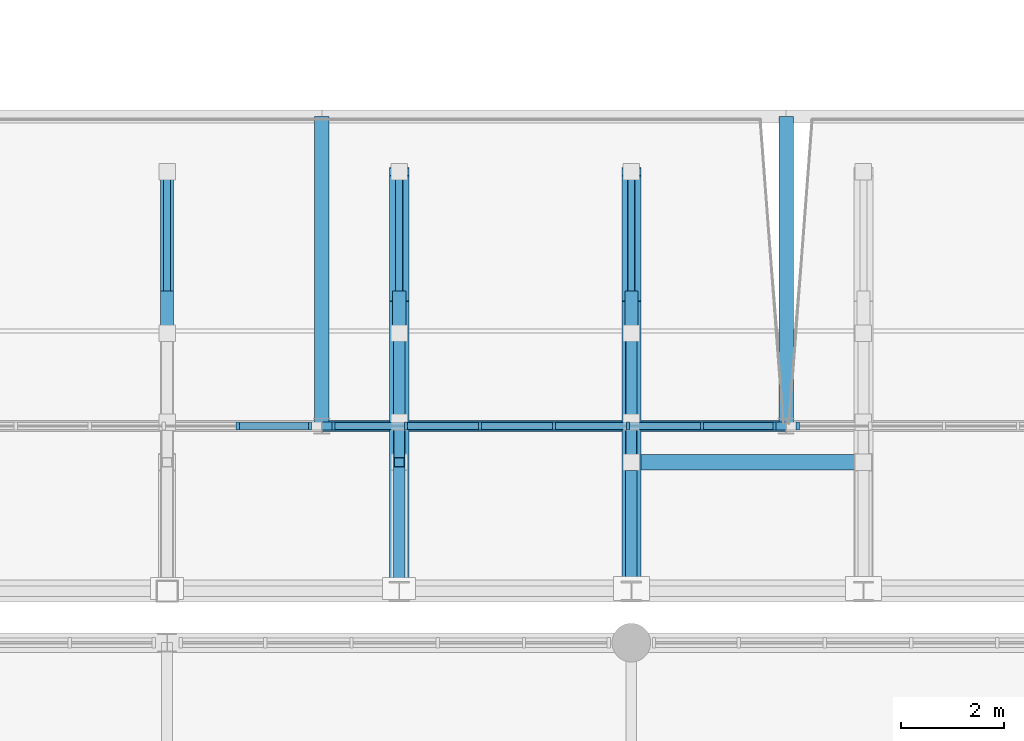
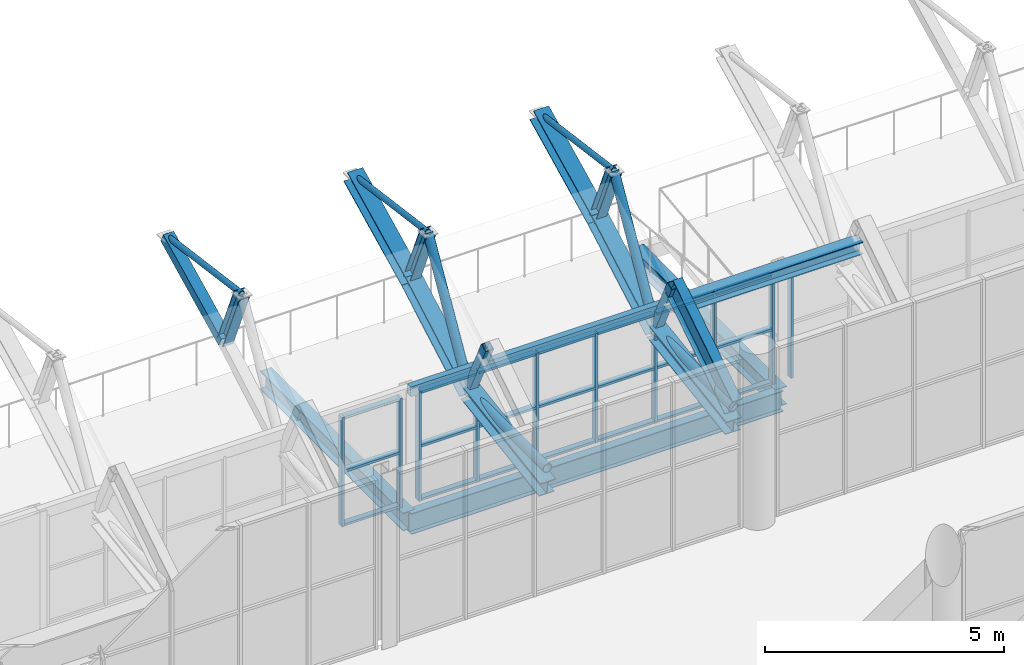
# One storey, part 62 of 134: 51 members, 5 beams, 3 elements without a shape of their own.
"""IFC4 building model written with IfcOpenShell, lengths in metres."""

from ifc_helpers import new_model, si_unit, direction, frame, origin, origin_2d, place, context, subcontext, project, spatial, rectangle, hollow_rectangle, hollow_circle, i_section, extrude, material, layer, layer_set, material_profile, profile_set, type_object, element, aggregate, save


model = new_model("IFC4")

# Units and contexts
model_context = context("Model", 3, precision=1e-05, world=origin(), true_north=direction((0.0, 1.0)))
body_context = subcontext(model_context, "Body", "Model", "MODEL_VIEW")
ifc_project = project(units=[si_unit("LENGTHUNIT", "METRE"), si_unit("AREAUNIT", "SQUARE_METRE"), si_unit("VOLUMEUNIT", "CUBIC_METRE"), si_unit("PLANEANGLEUNIT", "RADIAN"), si_unit("MASSUNIT", "GRAM", prefix="KILO")], contexts=[model_context])

# Site, building, storey
site_placement = place(None, origin())
site = spatial("IfcSite", under=ifc_project, at=site_placement, CompositionType="ELEMENT")
building_placement = place(site_placement, origin())
building = spatial("IfcBuilding", under=site, at=building_placement, Name="Cazmaro Siding Exhibition Halls", CompositionType="ELEMENT")
storey_placement = place(building_placement, frame((0.0, 0.0, 12.0)))
storey = spatial("IfcBuildingStorey", under=building, at=storey_placement, Name="L02", CompositionType="ELEMENT", Elevation=12.0)

# Beams
ifc_material_1 = material(Name="Steel ASTM A992 Grade 50", Category="steel")
ifc_material_profile_1 = material_profile(ifc_material_1, i_section(OverallWidth=0.22900390625, OverallDepth=0.612060546875, WebThickness=0.011962890625, FlangeThickness=0.02001953125, at=origin_2d()), Name="W24X84")
ifc_profile_set_1 = profile_set([ifc_material_profile_1], Name="Steel ASTM A992 Grade 50")
beam_type_1 = type_object("IfcBeamType", Name="AR-03", PredefinedType="USERDEFINED", material=ifc_profile_set_1)
beam_1_placement = place(storey_placement, frame((108.0, 64.0, 2.300048828125), z_axis=(0.0, 0.843339173298, 0.537381650954), x_axis=(-1.0, 0.0, 0.0)))
element("IfcBeam", 1, at=beam_1_placement, inside=storey, type_object=beam_type_1, Name="Space frame barrel vault arched rib AR-03 BM-0871", ObjectType="ARCHED RIB", PredefinedType="USERDEFINED", context=body_context, shape_type="SweptSolid", body=[
    extrude(i_section(OverallWidth=0.22900390625, OverallDepth=0.612060546875, WebThickness=0.011962890625, FlangeThickness=0.02001953125, at=origin_2d()), origin(), (0.0, 0.0, 1.0), 2.96435546875),
])
ifc_material_2 = material(Name="Steel ASTM A992 Grade 50", Category="steel")
ifc_material_profile_2 = material_profile(ifc_material_2, i_section(OverallWidth=0.2099609375, OverallDepth=0.535888671875, WebThickness=0.010986328125, FlangeThickness=0.01708984375, at=origin_2d()), Name="W21X68")
ifc_profile_set_2 = profile_set([ifc_material_profile_2], Name="Steel ASTM A992 Grade 50")
beam_type_2 = type_object("IfcBeamType", Name="B-02", PredefinedType="BEAM", material=ifc_profile_set_2)
beam_2_placement = place(storey_placement, frame((102.0, 67.199951171875, -0.488037109375), z_axis=(1.0, 0.0, 0.0), x_axis=(0.0, 1.0, 0.0)))
element("IfcBeam", 2, at=beam_2_placement, inside=storey, type_object=beam_type_2, Name="Beam B-02 BM-0461", PredefinedType="BEAM", context=body_context, shape_type="SweptSolid", body=[
    extrude(i_section(OverallWidth=0.2099609375, OverallDepth=0.535888671875, WebThickness=0.010986328125, FlangeThickness=0.01708984375, at=origin_2d()), origin(), (0.0, 0.0, 1.0), 9.0),
])
ifc_material_3 = material(Name="Steel ASTM A992 Grade 50", Category="steel")
ifc_material_profile_3 = material_profile(ifc_material_3, i_section(OverallWidth=0.279052734375, OverallDepth=0.4619140625, WebThickness=0.010986328125, FlangeThickness=0.01708984375, at=origin_2d()), Name="W18X76")
ifc_profile_set_3 = profile_set([ifc_material_profile_3], Name="Steel ASTM A992 Grade 50")
beam_type_3 = type_object("IfcBeamType", Name="B-03", PredefinedType="BEAM", material=ifc_profile_set_3)
for number, where, z_axis, x_axis, name in (
    (3, (102.0, 67.199951171875, -0.450927734375), (0.0, 1.0, 0.0), (-1.0, 0.0, 0.0), "Beam B-03 BM-0478"),
    (4, (111.0, 67.199951171875, -0.450927734375), (0.0, 1.0, 0.0), (-1.0, 0.0, 0.0), "Beam B-03 BM-0479"),
):
    element("IfcBeam", number, at=place(storey_placement, frame(where, z_axis=z_axis, x_axis=x_axis)), inside=storey, type_object=beam_type_3, Name=name, PredefinedType="BEAM", context=body_context, shape_type="SweptSolid", body=[
        extrude(i_section(OverallWidth=0.279052734375, OverallDepth=0.4619140625, WebThickness=0.010986328125, FlangeThickness=0.01708984375, at=origin_2d()), origin(), (0.0, 0.0, 1.0), 6.0),
    ])

# Member
ifc_material_4 = material(Name="Steel ASTM A992 Grade 50", Category="steel")
ifc_material_profile_4 = material_profile(ifc_material_4, i_section(OverallWidth=0.306884765625, OverallDepth=0.31396484375, WebThickness=0.011962890625, FlangeThickness=0.01904296875, at=origin_2d()), Name="W12X79")
ifc_profile_set_4 = profile_set([ifc_material_profile_4], Name="Steel ASTM A992 Grade 50")
member_type_1 = type_object("IfcMemberType", Name="CS-02", PredefinedType="STRUT", material=ifc_profile_set_4)
member_1_placement = place(storey_placement, frame((108.0, 66.5, 3.35302734375), z_axis=(1.0, 0.0, 0.0), x_axis=(0.0, 1.0, 0.0)))
element("IfcMember", 5, at=member_1_placement, inside=storey, type_object=member_type_1, Name="Space frame vault springing strut CS-02 MEM-2146", PredefinedType="STRUT", context=body_context, shape_type="SweptSolid", body=[
    extrude(i_section(OverallWidth=0.306884765625, OverallDepth=0.31396484375, WebThickness=0.011962890625, FlangeThickness=0.01904296875, at=origin_2d()), origin(), (0.0, 0.0, 1.0), 4.5),
])

# Curtain wall, members
ifc_material_5 = material(Name="Anodized Bronze Aluminum and Solar-Control Low-E Glazing", Category="aluminium")
ifc_layer = layer(ifc_material_5, 0.159912109375)
ifc_layer_set = layer_set([ifc_layer], Name="Anodized Bronze Aluminum and Solar-Control Low-E Glazing")
curtain_wall_type = type_object("IfcCurtainWallType", Name="CWS-04", PredefinedType="USERDEFINED", material=ifc_layer_set)
curtain_wall_1_placement = place(storey_placement, origin())
curtain_wall_1 = element("IfcCurtainWall", 6, at=curtain_wall_1_placement, inside=storey, type_object=curtain_wall_type, Name="Clerestory Curtain Wall CWS-04 CW-021", ObjectType="CLERESTORY CURTAIN WALL", PredefinedType="USERDEFINED")
ifc_material_6 = material(Name="Anodized Bronze Extruded Aluminum", Category="aluminium")
ifc_material_profile_5 = material_profile(ifc_material_6, rectangle(XDim=0.159912109375, YDim=0.06005859375, at=origin_2d()), Name="CWM-04")
ifc_profile_set_5 = profile_set([ifc_material_profile_5], Name="Anodized Bronze Extruded Aluminum")
member_type_2 = type_object("IfcMemberType", Name="CWM-04", PredefinedType="MULLION", material=ifc_profile_set_5)
member_2_placement = place(storey_placement, frame((100.36865234375, 67.199951171875, 0.0), z_axis=(0.0, 0.0, 1.0), x_axis=(0.0, 1.0, 0.0)))
member_2 = element("IfcMember", 7, at=member_2_placement, type_object=member_type_2, Name="CWS-04 mullion 6", PredefinedType="MULLION", context=body_context, shape_type="SweptSolid", body=[
    extrude(rectangle(XDim=0.159912109375, YDim=0.06005859375, at=origin_2d()), origin(), (0.0, 0.0, 1.0), 2.800048828125),
])
member_3_placement = place(storey_placement, frame((101.77294921875, 67.199951171875, 0.0), z_axis=(0.0, 0.0, 1.0), x_axis=(0.0, 1.0, 0.0)))
member_3 = element("IfcMember", 8, at=member_3_placement, type_object=member_type_2, Name="CWS-04 mullion 7", PredefinedType="MULLION", context=body_context, shape_type="SweptSolid", body=[
    extrude(rectangle(XDim=0.159912109375, YDim=0.06005859375, at=origin_2d()), origin(), (0.0, 0.0, 1.0), 2.800048828125),
])

curtain_wall_2_placement = place(storey_placement, origin())
curtain_wall_2 = element("IfcCurtainWall", 9, at=curtain_wall_2_placement, inside=storey, type_object=curtain_wall_type, Name="Clerestory Curtain Wall CWS-04 CW-024", ObjectType="CLERESTORY CURTAIN WALL", PredefinedType="USERDEFINED")
member_4_placement = place(storey_placement, frame((102.22705078125, 67.199951171875, 0.0), z_axis=(0.0, 0.0, 1.0), x_axis=(0.0, 1.0, 0.0)))
member_4 = element("IfcMember", 10, at=member_4_placement, type_object=member_type_2, Name="CWS-04 mullion 1", PredefinedType="MULLION", context=body_context, shape_type="SweptSolid", body=[
    extrude(rectangle(XDim=0.159912109375, YDim=0.06005859375, at=origin_2d()), origin(), (0.0, 0.0, 1.0), 2.800048828125),
])
member_5_placement = place(storey_placement, frame((103.63134765625, 67.199951171875, 0.0), z_axis=(0.0, 0.0, 1.0), x_axis=(0.0, 1.0, 0.0)))
member_5 = element("IfcMember", 11, at=member_5_placement, type_object=member_type_2, Name="CWS-04 mullion 2", PredefinedType="MULLION", context=body_context, shape_type="SweptSolid", body=[
    extrude(rectangle(XDim=0.159912109375, YDim=0.06005859375, at=origin_2d()), origin(), (0.0, 0.0, 1.0), 2.800048828125),
])
member_6_placement = place(storey_placement, frame((105.065673828125, 67.199951171875, 0.0), z_axis=(0.0, 0.0, 1.0), x_axis=(0.0, 1.0, 0.0)))
member_6 = element("IfcMember", 12, at=member_6_placement, type_object=member_type_2, Name="CWS-04 mullion 3", PredefinedType="MULLION", context=body_context, shape_type="SweptSolid", body=[
    extrude(rectangle(XDim=0.159912109375, YDim=0.06005859375, at=origin_2d()), origin(), (0.0, 0.0, 1.0), 2.800048828125),
])
member_7_placement = place(storey_placement, frame((106.5, 67.199951171875, 0.0), z_axis=(0.0, 0.0, 1.0), x_axis=(0.0, 1.0, 0.0)))
member_7 = element("IfcMember", 13, at=member_7_placement, type_object=member_type_2, Name="CWS-04 mullion 4", PredefinedType="MULLION", context=body_context, shape_type="SweptSolid", body=[
    extrude(rectangle(XDim=0.159912109375, YDim=0.06005859375, at=origin_2d()), origin(), (0.0, 0.0, 1.0), 2.800048828125),
])
member_8_placement = place(storey_placement, frame((107.934326171875, 67.199951171875, 0.0), z_axis=(0.0, 0.0, 1.0), x_axis=(0.0, 1.0, 0.0)))
member_8 = element("IfcMember", 14, at=member_8_placement, type_object=member_type_2, Name="CWS-04 mullion 5", PredefinedType="MULLION", context=body_context, shape_type="SweptSolid", body=[
    extrude(rectangle(XDim=0.159912109375, YDim=0.06005859375, at=origin_2d()), origin(), (0.0, 0.0, 1.0), 2.800048828125),
])
member_9_placement = place(storey_placement, frame((109.36865234375, 67.199951171875, 0.0), z_axis=(0.0, 0.0, 1.0), x_axis=(0.0, 1.0, 0.0)))
member_9 = element("IfcMember", 15, at=member_9_placement, type_object=member_type_2, Name="CWS-04 mullion 6", PredefinedType="MULLION", context=body_context, shape_type="SweptSolid", body=[
    extrude(rectangle(XDim=0.159912109375, YDim=0.06005859375, at=origin_2d()), origin(), (0.0, 0.0, 1.0), 2.800048828125),
])
member_10_placement = place(storey_placement, frame((110.77294921875, 67.199951171875, 0.0), z_axis=(0.0, 0.0, 1.0), x_axis=(0.0, 1.0, 0.0)))
member_10 = element("IfcMember", 16, at=member_10_placement, type_object=member_type_2, Name="CWS-04 mullion 7", PredefinedType="MULLION", context=body_context, shape_type="SweptSolid", body=[
    extrude(rectangle(XDim=0.159912109375, YDim=0.06005859375, at=origin_2d()), origin(), (0.0, 0.0, 1.0), 2.800048828125),
])

# Curtain wall, member
curtain_wall_3_placement = place(storey_placement, origin())
curtain_wall_3 = element("IfcCurtainWall", 17, at=curtain_wall_3_placement, inside=storey, type_object=curtain_wall_type, Name="Clerestory Curtain Wall CWS-04 CW-029", ObjectType="CLERESTORY CURTAIN WALL", PredefinedType="USERDEFINED")
member_11_placement = place(storey_placement, frame((111.22705078125, 67.199951171875, 0.0), z_axis=(0.0, 0.0, 1.0), x_axis=(0.0, 1.0, 0.0)))
member_11 = element("IfcMember", 18, at=member_11_placement, type_object=member_type_2, Name="CWS-04 mullion 1", PredefinedType="MULLION", context=body_context, shape_type="SweptSolid", body=[
    extrude(rectangle(XDim=0.159912109375, YDim=0.06005859375, at=origin_2d()), origin(), (0.0, 0.0, 1.0), 2.800048828125),
])
aggregate(curtain_wall_3, [member_11])

# Member
ifc_material_7 = material(Name="Anodized Bronze Extruded Aluminum", Category="aluminium")
ifc_material_profile_6 = material_profile(ifc_material_7, rectangle(XDim=0.139892578125, YDim=0.06005859375, at=origin_2d()), Name="CWT-04")
ifc_profile_set_6 = profile_set([ifc_material_profile_6], Name="Anodized Bronze Extruded Aluminum")
member_type_3 = type_object("IfcMemberType", Name="CWT-04", PredefinedType="MULLION", material=ifc_profile_set_6)
member_12_placement = place(storey_placement, frame((100.398681640625, 67.199951171875, 0.030029296875), z_axis=(1.0, 0.0, 0.0), x_axis=(0.0, 1.0, 0.0)))
member_12 = element("IfcMember", 19, at=member_12_placement, type_object=member_type_3, Name="CWS-04 transom 6.1", ObjectType="TRANSOM", PredefinedType="USERDEFINED", context=body_context, shape_type="SweptSolid", body=[
    extrude(rectangle(XDim=0.139892578125, YDim=0.06005859375, at=origin_2d()), origin(), (0.0, 0.0, 1.0), 1.34423828125),
])

member_13_placement = place(storey_placement, frame((100.398681640625, 67.199951171875, 1.39990234375), z_axis=(1.0, 0.0, 0.0), x_axis=(0.0, 1.0, 0.0)))
member_13 = element("IfcMember", 20, at=member_13_placement, type_object=member_type_3, Name="CWS-04 transom 6.2", ObjectType="TRANSOM", PredefinedType="USERDEFINED", context=body_context, shape_type="SweptSolid", body=[
    extrude(rectangle(XDim=0.139892578125, YDim=0.06005859375, at=origin_2d()), origin(), (0.0, 0.0, 1.0), 1.34423828125),
])

member_14_placement = place(storey_placement, frame((100.398681640625, 67.199951171875, 2.77001953125), z_axis=(1.0, 0.0, 0.0), x_axis=(0.0, 1.0, 0.0)))
member_14 = element("IfcMember", 21, at=member_14_placement, type_object=member_type_3, Name="CWS-04 transom 6.3", ObjectType="TRANSOM", PredefinedType="USERDEFINED", context=body_context, shape_type="SweptSolid", body=[
    extrude(rectangle(XDim=0.139892578125, YDim=0.06005859375, at=origin_2d()), origin(), (0.0, 0.0, 1.0), 1.34423828125),
])

aggregate(curtain_wall_1, [member_2, member_3, member_12, member_13, member_14])

member_15_placement = place(storey_placement, frame((102.257080078125, 67.199951171875, 0.030029296875), z_axis=(1.0, 0.0, 0.0), x_axis=(0.0, 1.0, 0.0)))
member_15 = element("IfcMember", 22, at=member_15_placement, type_object=member_type_3, Name="CWS-04 transom 1.1", ObjectType="TRANSOM", PredefinedType="USERDEFINED", context=body_context, shape_type="SweptSolid", body=[
    extrude(rectangle(XDim=0.139892578125, YDim=0.06005859375, at=origin_2d()), origin(), (0.0, 0.0, 1.0), 1.34423828125),
])

member_16_placement = place(storey_placement, frame((102.257080078125, 67.199951171875, 1.39990234375), z_axis=(1.0, 0.0, 0.0), x_axis=(0.0, 1.0, 0.0)))
member_16 = element("IfcMember", 23, at=member_16_placement, type_object=member_type_3, Name="CWS-04 transom 1.2", ObjectType="TRANSOM", PredefinedType="USERDEFINED", context=body_context, shape_type="SweptSolid", body=[
    extrude(rectangle(XDim=0.139892578125, YDim=0.06005859375, at=origin_2d()), origin(), (0.0, 0.0, 1.0), 1.34423828125),
])

member_17_placement = place(storey_placement, frame((102.257080078125, 67.199951171875, 2.77001953125), z_axis=(1.0, 0.0, 0.0), x_axis=(0.0, 1.0, 0.0)))
member_17 = element("IfcMember", 24, at=member_17_placement, type_object=member_type_3, Name="CWS-04 transom 1.3", ObjectType="TRANSOM", PredefinedType="USERDEFINED", context=body_context, shape_type="SweptSolid", body=[
    extrude(rectangle(XDim=0.139892578125, YDim=0.06005859375, at=origin_2d()), origin(), (0.0, 0.0, 1.0), 1.34423828125),
])

member_18_placement = place(storey_placement, frame((103.661376953125, 67.199951171875, 0.030029296875), z_axis=(1.0, 0.0, 0.0), x_axis=(0.0, 1.0, 0.0)))
member_18 = element("IfcMember", 25, at=member_18_placement, type_object=member_type_3, Name="CWS-04 transom 2.1", ObjectType="TRANSOM", PredefinedType="USERDEFINED", context=body_context, shape_type="SweptSolid", body=[
    extrude(rectangle(XDim=0.139892578125, YDim=0.06005859375, at=origin_2d()), origin(), (0.0, 0.0, 1.0), 1.374267578125),
])

member_19_placement = place(storey_placement, frame((103.661376953125, 67.199951171875, 1.39990234375), z_axis=(1.0, 0.0, 0.0), x_axis=(0.0, 1.0, 0.0)))
member_19 = element("IfcMember", 26, at=member_19_placement, type_object=member_type_3, Name="CWS-04 transom 2.2", ObjectType="TRANSOM", PredefinedType="USERDEFINED", context=body_context, shape_type="SweptSolid", body=[
    extrude(rectangle(XDim=0.139892578125, YDim=0.06005859375, at=origin_2d()), origin(), (0.0, 0.0, 1.0), 1.374267578125),
])

member_20_placement = place(storey_placement, frame((103.661376953125, 67.199951171875, 2.77001953125), z_axis=(1.0, 0.0, 0.0), x_axis=(0.0, 1.0, 0.0)))
member_20 = element("IfcMember", 27, at=member_20_placement, type_object=member_type_3, Name="CWS-04 transom 2.3", ObjectType="TRANSOM", PredefinedType="USERDEFINED", context=body_context, shape_type="SweptSolid", body=[
    extrude(rectangle(XDim=0.139892578125, YDim=0.06005859375, at=origin_2d()), origin(), (0.0, 0.0, 1.0), 1.374267578125),
])

member_21_placement = place(storey_placement, frame((105.095703125, 67.199951171875, 0.030029296875), z_axis=(1.0, 0.0, 0.0), x_axis=(0.0, 1.0, 0.0)))
member_21 = element("IfcMember", 28, at=member_21_placement, type_object=member_type_3, Name="CWS-04 transom 3.1", ObjectType="TRANSOM", PredefinedType="USERDEFINED", context=body_context, shape_type="SweptSolid", body=[
    extrude(rectangle(XDim=0.139892578125, YDim=0.06005859375, at=origin_2d()), origin(), (0.0, 0.0, 1.0), 1.374267578125),
])

member_22_placement = place(storey_placement, frame((105.095703125, 67.199951171875, 1.39990234375), z_axis=(1.0, 0.0, 0.0), x_axis=(0.0, 1.0, 0.0)))
member_22 = element("IfcMember", 29, at=member_22_placement, type_object=member_type_3, Name="CWS-04 transom 3.2", ObjectType="TRANSOM", PredefinedType="USERDEFINED", context=body_context, shape_type="SweptSolid", body=[
    extrude(rectangle(XDim=0.139892578125, YDim=0.06005859375, at=origin_2d()), origin(), (0.0, 0.0, 1.0), 1.374267578125),
])

member_23_placement = place(storey_placement, frame((105.095703125, 67.199951171875, 2.77001953125), z_axis=(1.0, 0.0, 0.0), x_axis=(0.0, 1.0, 0.0)))
member_23 = element("IfcMember", 30, at=member_23_placement, type_object=member_type_3, Name="CWS-04 transom 3.3", ObjectType="TRANSOM", PredefinedType="USERDEFINED", context=body_context, shape_type="SweptSolid", body=[
    extrude(rectangle(XDim=0.139892578125, YDim=0.06005859375, at=origin_2d()), origin(), (0.0, 0.0, 1.0), 1.374267578125),
])

member_24_placement = place(storey_placement, frame((106.530029296875, 67.199951171875, 0.030029296875), z_axis=(1.0, 0.0, 0.0), x_axis=(0.0, 1.0, 0.0)))
member_24 = element("IfcMember", 31, at=member_24_placement, type_object=member_type_3, Name="CWS-04 transom 4.1", ObjectType="TRANSOM", PredefinedType="USERDEFINED", context=body_context, shape_type="SweptSolid", body=[
    extrude(rectangle(XDim=0.139892578125, YDim=0.06005859375, at=origin_2d()), origin(), (0.0, 0.0, 1.0), 1.374267578125),
])

member_25_placement = place(storey_placement, frame((106.530029296875, 67.199951171875, 1.39990234375), z_axis=(1.0, 0.0, 0.0), x_axis=(0.0, 1.0, 0.0)))
member_25 = element("IfcMember", 32, at=member_25_placement, type_object=member_type_3, Name="CWS-04 transom 4.2", ObjectType="TRANSOM", PredefinedType="USERDEFINED", context=body_context, shape_type="SweptSolid", body=[
    extrude(rectangle(XDim=0.139892578125, YDim=0.06005859375, at=origin_2d()), origin(), (0.0, 0.0, 1.0), 1.374267578125),
])

member_26_placement = place(storey_placement, frame((106.530029296875, 67.199951171875, 2.77001953125), z_axis=(1.0, 0.0, 0.0), x_axis=(0.0, 1.0, 0.0)))
member_26 = element("IfcMember", 33, at=member_26_placement, type_object=member_type_3, Name="CWS-04 transom 4.3", ObjectType="TRANSOM", PredefinedType="USERDEFINED", context=body_context, shape_type="SweptSolid", body=[
    extrude(rectangle(XDim=0.139892578125, YDim=0.06005859375, at=origin_2d()), origin(), (0.0, 0.0, 1.0), 1.374267578125),
])

member_27_placement = place(storey_placement, frame((107.96435546875, 67.199951171875, 0.030029296875), z_axis=(1.0, 0.0, 0.0), x_axis=(0.0, 1.0, 0.0)))
member_27 = element("IfcMember", 34, at=member_27_placement, type_object=member_type_3, Name="CWS-04 transom 5.1", ObjectType="TRANSOM", PredefinedType="USERDEFINED", context=body_context, shape_type="SweptSolid", body=[
    extrude(rectangle(XDim=0.139892578125, YDim=0.06005859375, at=origin_2d()), origin(), (0.0, 0.0, 1.0), 1.374267578125),
])

member_28_placement = place(storey_placement, frame((107.96435546875, 67.199951171875, 1.39990234375), z_axis=(1.0, 0.0, 0.0), x_axis=(0.0, 1.0, 0.0)))
member_28 = element("IfcMember", 35, at=member_28_placement, type_object=member_type_3, Name="CWS-04 transom 5.2", ObjectType="TRANSOM", PredefinedType="USERDEFINED", context=body_context, shape_type="SweptSolid", body=[
    extrude(rectangle(XDim=0.139892578125, YDim=0.06005859375, at=origin_2d()), origin(), (0.0, 0.0, 1.0), 1.374267578125),
])

member_29_placement = place(storey_placement, frame((107.96435546875, 67.199951171875, 2.77001953125), z_axis=(1.0, 0.0, 0.0), x_axis=(0.0, 1.0, 0.0)))
member_29 = element("IfcMember", 36, at=member_29_placement, type_object=member_type_3, Name="CWS-04 transom 5.3", ObjectType="TRANSOM", PredefinedType="USERDEFINED", context=body_context, shape_type="SweptSolid", body=[
    extrude(rectangle(XDim=0.139892578125, YDim=0.06005859375, at=origin_2d()), origin(), (0.0, 0.0, 1.0), 1.374267578125),
])

member_30_placement = place(storey_placement, frame((109.398681640625, 67.199951171875, 0.030029296875), z_axis=(1.0, 0.0, 0.0), x_axis=(0.0, 1.0, 0.0)))
member_30 = element("IfcMember", 37, at=member_30_placement, type_object=member_type_3, Name="CWS-04 transom 6.1", ObjectType="TRANSOM", PredefinedType="USERDEFINED", context=body_context, shape_type="SweptSolid", body=[
    extrude(rectangle(XDim=0.139892578125, YDim=0.06005859375, at=origin_2d()), origin(), (0.0, 0.0, 1.0), 1.34423828125),
])

member_31_placement = place(storey_placement, frame((109.398681640625, 67.199951171875, 1.39990234375), z_axis=(1.0, 0.0, 0.0), x_axis=(0.0, 1.0, 0.0)))
member_31 = element("IfcMember", 38, at=member_31_placement, type_object=member_type_3, Name="CWS-04 transom 6.2", ObjectType="TRANSOM", PredefinedType="USERDEFINED", context=body_context, shape_type="SweptSolid", body=[
    extrude(rectangle(XDim=0.139892578125, YDim=0.06005859375, at=origin_2d()), origin(), (0.0, 0.0, 1.0), 1.34423828125),
])

member_32_placement = place(storey_placement, frame((109.398681640625, 67.199951171875, 2.77001953125), z_axis=(1.0, 0.0, 0.0), x_axis=(0.0, 1.0, 0.0)))
member_32 = element("IfcMember", 39, at=member_32_placement, type_object=member_type_3, Name="CWS-04 transom 6.3", ObjectType="TRANSOM", PredefinedType="USERDEFINED", context=body_context, shape_type="SweptSolid", body=[
    extrude(rectangle(XDim=0.139892578125, YDim=0.06005859375, at=origin_2d()), origin(), (0.0, 0.0, 1.0), 1.34423828125),
])

aggregate(curtain_wall_2, [member_4, member_5, member_6, member_7, member_8, member_9, member_10, member_15, member_16, member_17, member_18, member_19, member_20, member_21, member_22, member_23, member_24, member_25, member_26, member_27, member_28, member_29, member_30, member_31, member_32])

# Beam
ifc_material_8 = material(Name="Steel ASTM A500 Grade C", Category="steel")
ifc_material_profile_7 = material_profile(ifc_material_8, hollow_rectangle(XDim=0.152099609375, YDim=0.25390625, WallThickness=0.011962890625, at=origin_2d()), Name="HSS10X6X1/2")
ifc_profile_set_7 = profile_set([ifc_material_profile_7], Name="Steel ASTM A500 Grade C")
beam_type_4 = type_object("IfcBeamType", Name="SP-02", PredefinedType="SPANDREL", material=ifc_profile_set_7)
beam_3_placement = place(storey_placement, frame((102.0, 67.199951171875, 2.873046875), z_axis=(1.0, 0.0, 0.0), x_axis=(0.0, 1.0, 0.0)))
element("IfcBeam", 40, at=beam_3_placement, inside=storey, type_object=beam_type_4, Name="Beam SP-02 BM-0241", PredefinedType="SPANDREL", context=body_context, shape_type="SweptSolid", body=[
    extrude(hollow_rectangle(XDim=0.152099609375, YDim=0.25390625, WallThickness=0.011962890625, at=origin_2d()), origin(), (0.0, 0.0, 1.0), 9.0),
])

# Members
ifc_material_9 = material(Name="Steel ASTM A500 Grade C", Category="steel")
ifc_material_profile_8 = material_profile(ifc_material_9, hollow_rectangle(XDim=0.25390625, YDim=0.25390625, WallThickness=0.014892578125, at=origin_2d()), Name="HSS10X10X5/8")
ifc_profile_set_8 = profile_set([ifc_material_profile_8], Name="Steel ASTM A500 Grade C")
member_type_4 = type_object("IfcMemberType", Name="TC-01", PredefinedType="CHORD", material=ifc_profile_set_8)
member_33_placement = place(storey_placement, frame((99.0, 69.700927734375, 3.675048828125), z_axis=(0.0, 0.896077457924, 0.443897724033), x_axis=(-1.0, 0.0, 0.0)))
element("IfcMember", 41, at=member_33_placement, inside=storey, type_object=member_type_4, Name="Space frame barrel vault bottom chord TC-01 MEM-0809", PredefinedType="CHORD", context=body_context, shape_type="SweptSolid", body=[
    extrude(hollow_rectangle(XDim=0.25390625, YDim=0.25390625, WallThickness=0.014892578125, at=origin_2d()), origin(), (0.0, 0.0, 1.0), 2.7119140625),
])
ifc_material_10 = material(Name="Steel ASTM A992 Grade 50", Category="steel")
ifc_material_profile_9 = material_profile(ifc_material_10, i_section(OverallWidth=0.37109375, OverallDepth=0.364013671875, WebThickness=0.012939453125, FlangeThickness=0.02197265625, at=origin_2d()), Name="W14X109")
ifc_profile_set_9 = profile_set([ifc_material_profile_9], Name="Steel ASTM A992 Grade 50")
member_type_5 = type_object("IfcMemberType", Name="TC-06", PredefinedType="CHORD", material=ifc_profile_set_9)
member_34_placement = place(storey_placement, frame((103.5, 64.0, 1.800048828125), z_axis=(0.0, 0.988252010809, 0.152833121839), x_axis=(-1.0, 0.0, 0.0)))
element("IfcMember", 42, at=member_34_placement, inside=storey, type_object=member_type_5, Name="Space frame barrel vault bottom chord TC-06 MEM-0876", PredefinedType="CHORD", context=body_context, shape_type="SweptSolid", body=[
    extrude(i_section(OverallWidth=0.37109375, OverallDepth=0.364013671875, WebThickness=0.012939453125, FlangeThickness=0.02197265625, at=origin_2d()), origin(), (0.0, 0.0, 1.0), 3.309814453125),
])
member_35_placement = place(storey_placement, frame((103.5, 67.27099609375, 2.305908203125), z_axis=(0.0, 0.871222319466, 0.490888653428), x_axis=(-1.0, 0.0, 0.0)))
element("IfcMember", 43, at=member_35_placement, inside=storey, type_object=member_type_5, Name="Space frame barrel vault bottom chord TC-06 MEM-0878", PredefinedType="CHORD", context=body_context, shape_type="SweptSolid", body=[
    extrude(i_section(OverallWidth=0.37109375, OverallDepth=0.364013671875, WebThickness=0.012939453125, FlangeThickness=0.02197265625, at=origin_2d()), origin(), (0.0, 0.0, 1.0), 2.7890625),
])
member_36_placement = place(storey_placement, frame((103.5, 69.700927734375, 3.675048828125), z_axis=(0.0, 0.896077457924, 0.443897724033), x_axis=(-1.0, 0.0, 0.0)))
element("IfcMember", 44, at=member_36_placement, inside=storey, type_object=member_type_5, Name="Space frame barrel vault bottom chord TC-06 MEM-0880", PredefinedType="CHORD", context=body_context, shape_type="SweptSolid", body=[
    extrude(i_section(OverallWidth=0.37109375, OverallDepth=0.364013671875, WebThickness=0.012939453125, FlangeThickness=0.02197265625, at=origin_2d()), origin(), (0.0, 0.0, 1.0), 2.7119140625),
])
member_37_placement = place(storey_placement, frame((108.0, 64.0, 1.800048828125), z_axis=(0.0, 0.988252010809, 0.152833121839), x_axis=(-1.0, 0.0, 0.0)))
element("IfcMember", 45, at=member_37_placement, inside=storey, type_object=member_type_5, Name="Space frame barrel vault bottom chord TC-06 MEM-0947", PredefinedType="CHORD", context=body_context, shape_type="SweptSolid", body=[
    extrude(i_section(OverallWidth=0.37109375, OverallDepth=0.364013671875, WebThickness=0.012939453125, FlangeThickness=0.02197265625, at=origin_2d()), origin(), (0.0, 0.0, 1.0), 3.309814453125),
])
member_38_placement = place(storey_placement, frame((108.0, 67.27099609375, 2.305908203125), z_axis=(0.0, 0.871222319466, 0.490888653428), x_axis=(-1.0, 0.0, 0.0)))
element("IfcMember", 46, at=member_38_placement, inside=storey, type_object=member_type_5, Name="Space frame barrel vault bottom chord TC-06 MEM-0949", PredefinedType="CHORD", context=body_context, shape_type="SweptSolid", body=[
    extrude(i_section(OverallWidth=0.37109375, OverallDepth=0.364013671875, WebThickness=0.012939453125, FlangeThickness=0.02197265625, at=origin_2d()), origin(), (0.0, 0.0, 1.0), 2.7890625),
])
member_39_placement = place(storey_placement, frame((108.0, 69.700927734375, 3.675048828125), z_axis=(0.0, 0.896077457924, 0.443897724033), x_axis=(-1.0, 0.0, 0.0)))
element("IfcMember", 47, at=member_39_placement, inside=storey, type_object=member_type_5, Name="Space frame barrel vault bottom chord TC-06 MEM-0951", PredefinedType="CHORD", context=body_context, shape_type="SweptSolid", body=[
    extrude(i_section(OverallWidth=0.37109375, OverallDepth=0.364013671875, WebThickness=0.012939453125, FlangeThickness=0.02197265625, at=origin_2d()), origin(), (0.0, 0.0, 1.0), 2.7119140625),
])
ifc_material_11 = material(Name="Steel ASTM A500 Grade C", Category="steel")
ifc_material_profile_10 = material_profile(ifc_material_11, hollow_rectangle(XDim=0.202880859375, YDim=0.202880859375, WallThickness=0.011962890625, at=origin_2d()), Name="HSS8X8X1/2")
ifc_profile_set_10 = profile_set([ifc_material_profile_10], Name="Steel ASTM A500 Grade C")
member_type_6 = type_object("IfcMemberType", Name="TP-01", PredefinedType="POST", material=ifc_profile_set_10)
for number, where, z_axis, x_axis, name in (
    (48, (103.5, 67.27099609375, 2.305908203125), (0.0, -0.436945543824, 0.89948796086), (1.0, 0.0, 0.0), "Space frame barrel vault post TP-01 MEM-0924"),
    (49, (108.0, 67.27099609375, 2.305908203125), (0.0, -0.436945543824, 0.89948796086), (1.0, 0.0, 0.0), "Space frame barrel vault post TP-01 MEM-0995"),
):
    element("IfcMember", number, at=place(storey_placement, frame(where, z_axis=z_axis, x_axis=x_axis)), inside=storey, type_object=member_type_6, Name=name, PredefinedType="POST", context=body_context, shape_type="SweptSolid", body=[
        extrude(hollow_rectangle(XDim=0.202880859375, YDim=0.202880859375, WallThickness=0.011962890625, at=origin_2d()), origin(), (0.0, 0.0, 1.0), 1.764404296875),
    ])
ifc_material_12 = material(Name="Steel ASTM A992 Grade 50", Category="steel")
ifc_material_profile_11 = material_profile(ifc_material_12, i_section(OverallWidth=0.25390625, OverallDepth=0.25390625, WebThickness=0.009033203125, FlangeThickness=0.013916015625, at=origin_2d()), Name="W10X49")
ifc_profile_set_11 = profile_set([ifc_material_profile_11], Name="Steel ASTM A992 Grade 50")
member_type_7 = type_object("IfcMemberType", Name="TP-04", PredefinedType="POST", material=ifc_profile_set_11)
for number, where, z_axis, x_axis, name in (
    (50, (99.0, 69.700927734375, 3.675048828125), (0.0, -0.395865434272, 0.918308530913), (1.0, 0.0, 0.0), "Space frame barrel vault post TP-04 MEM-0854"),
    (51, (103.5, 69.700927734375, 3.675048828125), (0.0, -0.395865434272, 0.918308530913), (1.0, 0.0, 0.0), "Space frame barrel vault post TP-04 MEM-0925"),
    (52, (108.0, 69.700927734375, 3.675048828125), (0.0, -0.395865434272, 0.918308530913), (1.0, 0.0, 0.0), "Space frame barrel vault post TP-04 MEM-0996"),
):
    element("IfcMember", number, at=place(storey_placement, frame(where, z_axis=z_axis, x_axis=x_axis)), inside=storey, type_object=member_type_7, Name=name, PredefinedType="POST", context=body_context, shape_type="SweptSolid", body=[
        extrude(i_section(OverallWidth=0.25390625, OverallDepth=0.25390625, WebThickness=0.009033203125, FlangeThickness=0.013916015625, at=origin_2d()), origin(), (0.0, 0.0, 1.0), 1.7705078125),
    ])
ifc_material_13 = material(Name="Steel ASTM A500 Grade C", Category="steel")
ifc_material_profile_12 = material_profile(ifc_material_13, hollow_circle(Radius=0.109619140625, WallThickness=0.012939453125, at=origin_2d()), Name="PIPE8XS")
ifc_profile_set_12 = profile_set([ifc_material_profile_12], Name="Steel ASTM A500 Grade C")
member_type_8 = type_object("IfcMemberType", Name="WB-01", PredefinedType="BRACE", material=ifc_profile_set_12)
member_40_placement = place(storey_placement, frame((103.5, 64.0, 2.300048828125), z_axis=(0.0, 0.999998395604, 0.001791309262), x_axis=(-1.0, 0.0, 0.0)))
element("IfcMember", 53, at=member_40_placement, inside=storey, type_object=member_type_8, Name="Space frame barrel vault diagonal WB-01 MEM-0877", PredefinedType="BRACE", context=body_context, shape_type="SweptSolid", body=[
    extrude(hollow_circle(Radius=0.109619140625, WallThickness=0.012939453125, at=origin_2d()), origin(), (0.0, 0.0, 1.0), 3.27099609375),
])
member_41_placement = place(storey_placement, frame((103.5, 67.27099609375, 2.305908203125), z_axis=(0.0, 0.499950595228, 0.866053925764), x_axis=(-1.0, 0.0, 0.0)))
element("IfcMember", 54, at=member_41_placement, inside=storey, type_object=member_type_8, Name="Space frame barrel vault diagonal WB-01 MEM-0879", PredefinedType="BRACE", context=body_context, shape_type="SweptSolid", body=[
    extrude(hollow_circle(Radius=0.109619140625, WallThickness=0.012939453125, at=origin_2d()), origin(), (0.0, 0.0, 1.0), 3.458251953125),
])
member_42_placement = place(storey_placement, frame((108.0, 64.0, 2.300048828125), z_axis=(0.0, 0.999998395604, 0.001791309262), x_axis=(-1.0, 0.0, 0.0)))
element("IfcMember", 55, at=member_42_placement, inside=storey, type_object=member_type_8, Name="Space frame barrel vault diagonal WB-01 MEM-0948", PredefinedType="BRACE", context=body_context, shape_type="SweptSolid", body=[
    extrude(hollow_circle(Radius=0.109619140625, WallThickness=0.012939453125, at=origin_2d()), origin(), (0.0, 0.0, 1.0), 3.27099609375),
])
member_43_placement = place(storey_placement, frame((108.0, 67.27099609375, 2.305908203125), z_axis=(0.0, 0.499950595228, 0.866053925764), x_axis=(-1.0, 0.0, 0.0)))
element("IfcMember", 56, at=member_43_placement, inside=storey, type_object=member_type_8, Name="Space frame barrel vault diagonal WB-01 MEM-0950", PredefinedType="BRACE", context=body_context, shape_type="SweptSolid", body=[
    extrude(hollow_circle(Radius=0.109619140625, WallThickness=0.012939453125, at=origin_2d()), origin(), (0.0, 0.0, 1.0), 3.458251953125),
])
ifc_material_14 = material(Name="Steel ASTM A500 Grade C", Category="steel")
ifc_material_profile_13 = material_profile(ifc_material_14, hollow_circle(Radius=0.070556640625, WallThickness=0.01904296875, at=origin_2d()), Name="PIPE5XXS")
ifc_profile_set_13 = profile_set([ifc_material_profile_13], Name="Steel ASTM A500 Grade C")
member_type_9 = type_object("IfcMemberType", Name="WB-07", PredefinedType="BRACE", material=ifc_profile_set_13)
for number, where, z_axis, x_axis, name in (
    (57, (99.0, 69.0, 5.301025390625), (0.0, 0.991034510477, -0.133606134005), (-1.0, 0.0, 0.0), "Space frame barrel vault diagonal WB-07 MEM-0810"),
    (58, (103.5, 69.0, 5.301025390625), (0.0, 0.991034510477, -0.133606134005), (-1.0, 0.0, 0.0), "Space frame barrel vault diagonal WB-07 MEM-0881"),
    (59, (108.0, 69.0, 5.301025390625), (0.0, 0.991034510477, -0.133606134005), (-1.0, 0.0, 0.0), "Space frame barrel vault diagonal WB-07 MEM-0952"),
):
    element("IfcMember", number, at=place(storey_placement, frame(where, z_axis=z_axis, x_axis=x_axis)), inside=storey, type_object=member_type_9, Name=name, PredefinedType="BRACE", context=body_context, shape_type="SweptSolid", body=[
        extrude(hollow_circle(Radius=0.070556640625, WallThickness=0.01904296875, at=origin_2d()), origin(), (0.0, 0.0, 1.0), 3.159423828125),
    ])

save(model, "model.ifc")
